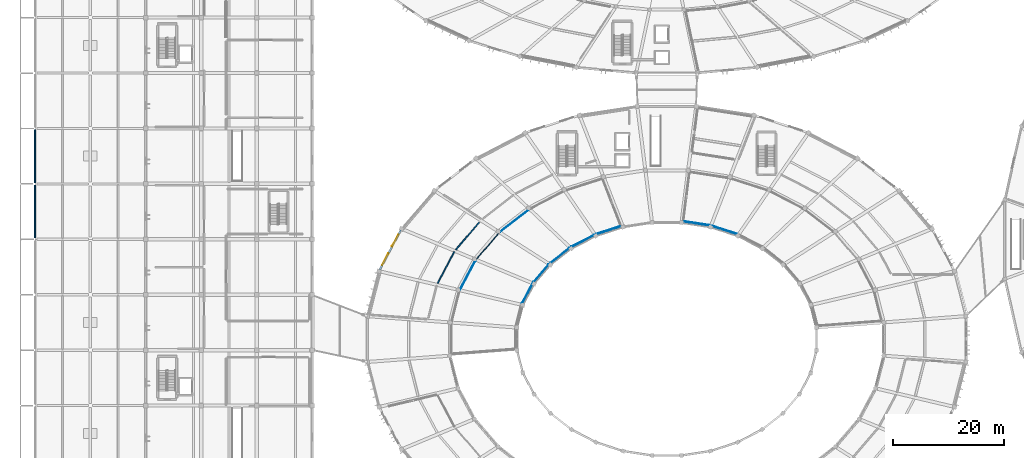
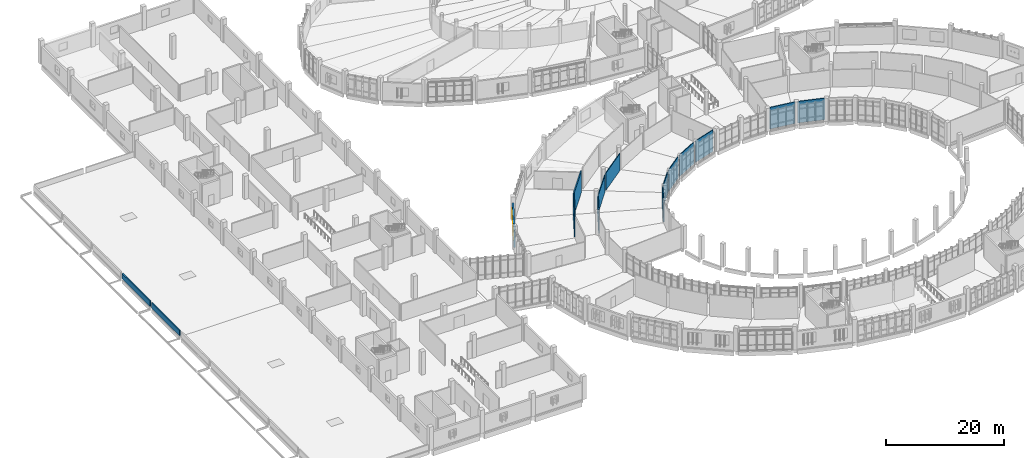
# One storey, part 117 of 179: 15 walls, 2 windows, 2 openings.
"""IFC4 building model written with IfcOpenShell, lengths in metres."""

from ifc_helpers import new_model, si_unit, direction, frame, frame_2d, origin, place, context, subcontext, project, spatial, rectangle, extrude, material, layer, layer_set, type_object, element, fill, save


model = new_model("IFC4")

# Units and contexts
model_context = context("Model", 3, precision=1e-05, world=origin(), true_north=direction((0.0, 1.0)))
body_context = subcontext(model_context, "Body", "Model", "MODEL_VIEW")
ifc_project = project(units=[si_unit("LENGTHUNIT", "METRE"), si_unit("AREAUNIT", "SQUARE_METRE"), si_unit("VOLUMEUNIT", "CUBIC_METRE"), si_unit("PLANEANGLEUNIT", "RADIAN"), si_unit("MASSUNIT", "GRAM", prefix="KILO")], contexts=[model_context])

# Site, building, storey
site_placement = place(None, origin())
site = spatial("IfcSite", under=ifc_project, at=site_placement, CompositionType="ELEMENT")
building_placement = place(site_placement, origin())
building = spatial("IfcBuilding", under=site, at=building_placement, Name="Corvandel Quay Wholesale Market", CompositionType="ELEMENT")
storey_placement = place(building_placement, frame((0.0, 0.0, 6.0)))
storey = spatial("IfcBuildingStorey", under=building, at=storey_placement, Name="L01", CompositionType="ELEMENT", Elevation=6.0)

# Walls
ifc_material_1 = material(Name="Gypsum-clad steel stud framing", Category="steel")
ifc_layer_1 = layer(ifc_material_1, 0.2099609375)
ifc_layer_set_1 = layer_set([ifc_layer_1], Name="Gypsum-clad steel stud framing")
wall_type_1 = type_object("IfcWallType", Name="Corridor Rated Partition PT02 210", PredefinedType="PARTITIONING", material=ifc_layer_set_1)
wall_1_placement = place(storey_placement, frame((80.140625, 63.022216796875, 0.0), z_axis=(0.0, 0.0, 1.0), x_axis=(-0.651372866557, -0.758757793181, 0.0)))
element("IfcWall", 1, at=wall_1_placement, inside=storey, type_object=wall_type_1, Name="Interior Wall IW-0462", PredefinedType="PARTITIONING", context=body_context, shape_type="SweptSolid", body=[
    extrude(rectangle(XDim=6.463623046875, YDim=0.2099609375, at=frame_2d((3.23193359375, 0.0))), origin(), (0.0, 0.0, 1.0), 4.4599609375),
])
wall_2_placement = place(storey_placement, frame((75.68359375, 57.7568359375, 0.0), z_axis=(0.0, 0.0, 1.0), x_axis=(-0.470392278071, -0.88245742375, 0.0)))
element("IfcWall", 2, at=wall_2_placement, inside=storey, type_object=wall_type_1, Name="Interior Wall IW-0463", PredefinedType="PARTITIONING", context=body_context, shape_type="SweptSolid", body=[
    extrude(rectangle(XDim=6.467041015625, YDim=0.2099609375, at=frame_2d((3.2333984375, 0.0))), origin(), (0.0, 0.0, 1.0), 4.4599609375),
])
ifc_material_2 = material(Name="Double-layer acoustic gypsum stud partition")
ifc_layer_2 = layer(ifc_material_2, 0.139892578125)
ifc_layer_set_2 = layer_set([ifc_layer_2], Name="Double-layer acoustic gypsum stud partition")
wall_type_2 = type_object("IfcWallType", Name="Office Acoustic Partition PT07 140", PredefinedType="PARTITIONING", material=ifc_layer_set_2)
wall_3_placement = place(storey_placement, frame((126.66552734375, 60.9443359375, 0.0), z_axis=(0.0, 0.0, 1.0), x_axis=(-0.951862340324, 0.306525831004, 0.0)))
element("IfcWall", 3, at=wall_3_placement, inside=storey, type_object=wall_type_2, Name="Interior Wall IW-0494", PredefinedType="PARTITIONING", context=body_context, shape_type="SweptSolid", body=[
    extrude(rectangle(XDim=4.741455078125, YDim=0.139892578125, at=frame_2d((2.37060546875, 0.0))), origin(), (0.0, 0.0, 1.0), 4.4599609375),
])
wall_4_placement = place(storey_placement, frame((121.7255859375, 62.498779296875, 0.0), z_axis=(0.0, 0.0, 1.0), x_axis=(-0.98821998041, 0.153040093824, 0.0)))
element("IfcWall", 4, at=wall_4_placement, inside=storey, type_object=wall_type_2, Name="Interior Wall IW-0495", PredefinedType="PARTITIONING", context=body_context, shape_type="SweptSolid", body=[
    extrude(rectangle(XDim=4.59130859375, YDim=0.139892578125, at=frame_2d((2.295654296875, 0.0))), origin(), (0.0, 0.0, 1.0), 4.4599609375),
])
wall_5_placement = place(storey_placement, frame((76.721435546875, 50.97412109375, 0.0), z_axis=(0.0, 0.0, 1.0), x_axis=(0.47010310894, 0.882611503984, 0.0)))
element("IfcWall", 5, at=wall_5_placement, inside=storey, type_object=wall_type_2, Name="Interior Wall IW-0507", PredefinedType="PARTITIONING", context=body_context, shape_type="SweptSolid", body=[
    extrude(rectangle(XDim=5.7734375, YDim=0.139892578125, at=frame_2d((2.88671875, 0.0))), origin(), (0.0, 0.0, 1.0), 3.56005859375),
])
wall_6_placement = place(storey_placement, frame((79.682373046875, 56.430908203125, 0.0), z_axis=(0.0, 0.0, 1.0), x_axis=(0.651509200707, 0.758640732754, 0.0)))
element("IfcWall", 6, at=wall_6_placement, inside=storey, type_object=wall_type_2, Name="Interior Wall IW-0508", PredefinedType="PARTITIONING", context=body_context, shape_type="SweptSolid", body=[
    extrude(rectangle(XDim=6.075439453125, YDim=0.139892578125, at=frame_2d((3.03759765625, 0.0))), origin(), (0.0, 0.0, 1.0), 3.56005859375),
])
wall_7_placement = place(storey_placement, frame((83.957763671875, 61.342041015625, 0.0), z_axis=(0.0, 0.0, 1.0), x_axis=(0.789391155416, 0.613890547045, 0.0)))
element("IfcWall", 7, at=wall_7_placement, inside=storey, type_object=wall_type_2, Name="Interior Wall IW-0509", PredefinedType="PARTITIONING", context=body_context, shape_type="SweptSolid", body=[
    extrude(rectangle(XDim=6.414306640625, YDim=0.139892578125, at=frame_2d((3.20703125, 0.0))), origin(), (0.0, 0.0, 1.0), 3.56005859375),
])
wall_8_placement = place(storey_placement, frame((105.545654296875, 62.300537109375, 0.0), z_axis=(0.0, 0.0, 1.0), x_axis=(-0.951726713479, -0.306946677537, 0.0)))
element("IfcWall", 8, at=wall_8_placement, inside=storey, type_object=wall_type_2, Name="Interior Wall IW-0513", PredefinedType="PARTITIONING", context=body_context, shape_type="SweptSolid", body=[
    extrude(rectangle(XDim=4.4501953125, YDim=0.139892578125, at=frame_2d((2.22509765625, 0.0))), origin(), (0.0, 0.0, 1.0), 4.4599609375),
])
wall_9_placement = place(storey_placement, frame((100.90576171875, 60.765380859375, 0.0), z_axis=(0.0, 0.0, 1.0), x_axis=(-0.887288169718, -0.461215463617, 0.0)))
element("IfcWall", 9, at=wall_9_placement, inside=storey, type_object=wall_type_2, Name="Interior Wall IW-0514", PredefinedType="PARTITIONING", context=body_context, shape_type="SweptSolid", body=[
    extrude(rectangle(XDim=4.592041015625, YDim=0.139892578125, at=frame_2d((2.2958984375, 0.0))), origin(), (0.0, 0.0, 1.0), 4.4599609375),
])
wall_10_placement = place(storey_placement, frame((96.46240234375, 58.410888671875, 0.0), z_axis=(0.0, 0.0, 1.0), x_axis=(-0.789439402794, -0.61382850155, 0.0)))
element("IfcWall", 10, at=wall_10_placement, inside=storey, type_object=wall_type_2, Name="Interior Wall IW-0515", PredefinedType="PARTITIONING", context=body_context, shape_type="SweptSolid", body=[
    extrude(rectangle(XDim=4.372314453125, YDim=0.139892578125, at=frame_2d((2.18603515625, 0.0))), origin(), (0.0, 0.0, 1.0), 4.4599609375),
])
wall_11_placement = place(storey_placement, frame((92.693603515625, 55.425048828125, 0.0), z_axis=(0.0, 0.0, 1.0), x_axis=(-0.651780038409, -0.758408057402, 0.0)))
element("IfcWall", 11, at=wall_11_placement, inside=storey, type_object=wall_type_2, Name="Interior Wall IW-0516", PredefinedType="PARTITIONING", context=body_context, shape_type="SweptSolid", body=[
    extrude(rectangle(XDim=4.1259765625, YDim=0.139892578125, at=frame_2d((2.06298828125, 0.0))), origin(), (0.0, 0.0, 1.0), 4.4599609375),
])
wall_12_placement = place(storey_placement, frame((89.757568359375, 51.934814453125, 0.0), z_axis=(0.0, 0.0, 1.0), x_axis=(-0.46974902355, -0.882800008424, 0.0)))
element("IfcWall", 12, at=wall_12_placement, inside=storey, type_object=wall_type_2, Name="Interior Wall IW-0517", PredefinedType="PARTITIONING", context=body_context, shape_type="SweptSolid", body=[
    extrude(rectangle(XDim=4.017578125, YDim=0.139892578125, at=frame_2d((2.0087890625, 0.0))), origin(), (0.0, 0.0, 1.0), 4.4599609375),
])
ifc_material_3 = material(Name="White precast concrete C45/55", Category="concrete")
ifc_layer_3 = layer(ifc_material_3, 0.239990234375)
ifc_layer_set_3 = layer_set([ifc_layer_3], Name="White precast concrete C45/55")
wall_type_3 = type_object("IfcWallType", Name="Roof Precast Parapet Wall PP01 240", PredefinedType="PARAPET", material=ifc_layer_set_3)
for number, where, z_axis, x_axis, name in (
    (13, (0.0, 60.239990234375, 0.0), (0.0, 0.0, 1.0), (0.0, 1.0, 0.0), "Exterior Wall EW-0209"),
    (14, (0.0, 70.239990234375, 0.0), (0.0, 0.0, 1.0), (0.0, 1.0, 0.0), "Exterior Wall EW-0211"),
):
    element("IfcWall", number, at=place(storey_placement, frame(where, z_axis=z_axis, x_axis=x_axis)), inside=storey, type_object=wall_type_3, Name=name, PredefinedType="PARAPET", context=body_context, shape_type="SweptSolid", body=[
        extrude(rectangle(XDim=9.52001953125, YDim=0.239990234375, at=frame_2d((4.760009765625, 0.0))), origin(), (0.0, 0.0, 1.0), 1.10009765625),
    ])

# Wall, openings, windows
ifc_material_4 = material(Name="Buff-pigmented precast concrete C45/55", Category="concrete")
ifc_layer_4 = layer(ifc_material_4, 0.320068359375)
ifc_layer_set_4 = layer_set([ifc_layer_4], Name="Buff-pigmented precast concrete C45/55")
wall_type_4 = type_object("IfcWallType", Name="Sandstone Buff Precast Wall EW02 320", PredefinedType="SOLIDWALL", material=ifc_layer_set_4)
wall_13_placement = place(storey_placement, frame((66.01904296875, 61.65576171875, 0.0), z_axis=(0.0, 0.0, 1.0), x_axis=(-0.47010905891, -0.882608334841, 0.0)))
wall_13 = element("IfcWall", 15, at=wall_13_placement, inside=storey, type_object=wall_type_4, Name="Exterior Wall EW-0036", PredefinedType="SOLIDWALL", context=body_context, shape_type="SweptSolid", body=[
    extrude(rectangle(XDim=8.11962890625, YDim=0.320068359375, at=frame_2d((4.059814453125, 0.0))), origin(), (0.0, 0.0, 1.0), 3.610107421875),
])
opening_1_placement = place(wall_13_placement, frame((0.949951171875, 0.0, 0.949951171875)))
opening_1 = element("IfcOpeningElement", 16, at=opening_1_placement, cuts=wall_13, Name="Opening L01-W011", PredefinedType="OPENING", context=body_context, shape_type="SweptSolid", body=[
    extrude(rectangle(XDim=2.39990234375, YDim=2.10009765625, at=frame_2d((1.199951171875, 1.050048828125))), frame((0.0, 0.169921875, 0.0), z_axis=(0.0, -1.0, 0.0), x_axis=(1.0, 0.0, 0.0)), (0.0, 0.0, 1.0), 0.340087890625),
])
opening_2_placement = place(wall_13_placement, frame((4.77001953125, 0.0, 0.949951171875)))
opening_2 = element("IfcOpeningElement", 17, at=opening_2_placement, cuts=wall_13, Name="Opening L01-W012", PredefinedType="OPENING", context=body_context, shape_type="SweptSolid", body=[
    extrude(rectangle(XDim=2.39990234375, YDim=2.10009765625, at=frame_2d((1.199951171875, 1.050048828125))), frame((0.0, 0.169921875, 0.0), z_axis=(0.0, -1.0, 0.0), x_axis=(1.0, 0.0, 0.0)), (0.0, 0.0, 1.0), 0.340087890625),
])
ifc_material_5 = material(Name="Thermally broken bronze anodised aluminium and solar-control low-E double glazing", Category="aluminium")
window_type = type_object("IfcWindowType", Name="Produce Gallery Punched Window WN02 2400x2100", PartitioningType="SINGLE_PANEL", PredefinedType="WINDOW", material=ifc_material_5)
window_1_placement = place(opening_1_placement, origin())
window_1 = element("IfcWindow", 18, at=window_1_placement, inside=storey, type_object=window_type, Name="Window L01-W011", OverallHeight=2.10009765625, OverallWidth=2.39990234375, PartitioningType="SINGLE_PANEL", PredefinedType="WINDOW", context=body_context, shape_type="SweptSolid", body=[
    extrude(rectangle(XDim=2.39990234375, YDim=2.10009765625, at=frame_2d((1.199951171875, 1.050048828125))), frame((0.0, 0.030029296875, 0.0), z_axis=(0.0, -1.0, 0.0), x_axis=(1.0, 0.0, 0.0)), (0.0, 0.0, 1.0), 0.06005859375),
])
fill(opening_1, window_1)
window_2_placement = place(opening_2_placement, origin())
window_2 = element("IfcWindow", 19, at=window_2_placement, inside=storey, type_object=window_type, Name="Window L01-W012", OverallHeight=2.10009765625, OverallWidth=2.39990234375, PartitioningType="SINGLE_PANEL", PredefinedType="WINDOW", context=body_context, shape_type="SweptSolid", body=[
    extrude(rectangle(XDim=2.39990234375, YDim=2.10009765625, at=frame_2d((1.199951171875, 1.050048828125))), frame((0.0, 0.030029296875, 0.0), z_axis=(0.0, -1.0, 0.0), x_axis=(1.0, 0.0, 0.0)), (0.0, 0.0, 1.0), 0.06005859375),
])
fill(opening_2, window_2)

save(model, "model.ifc")
